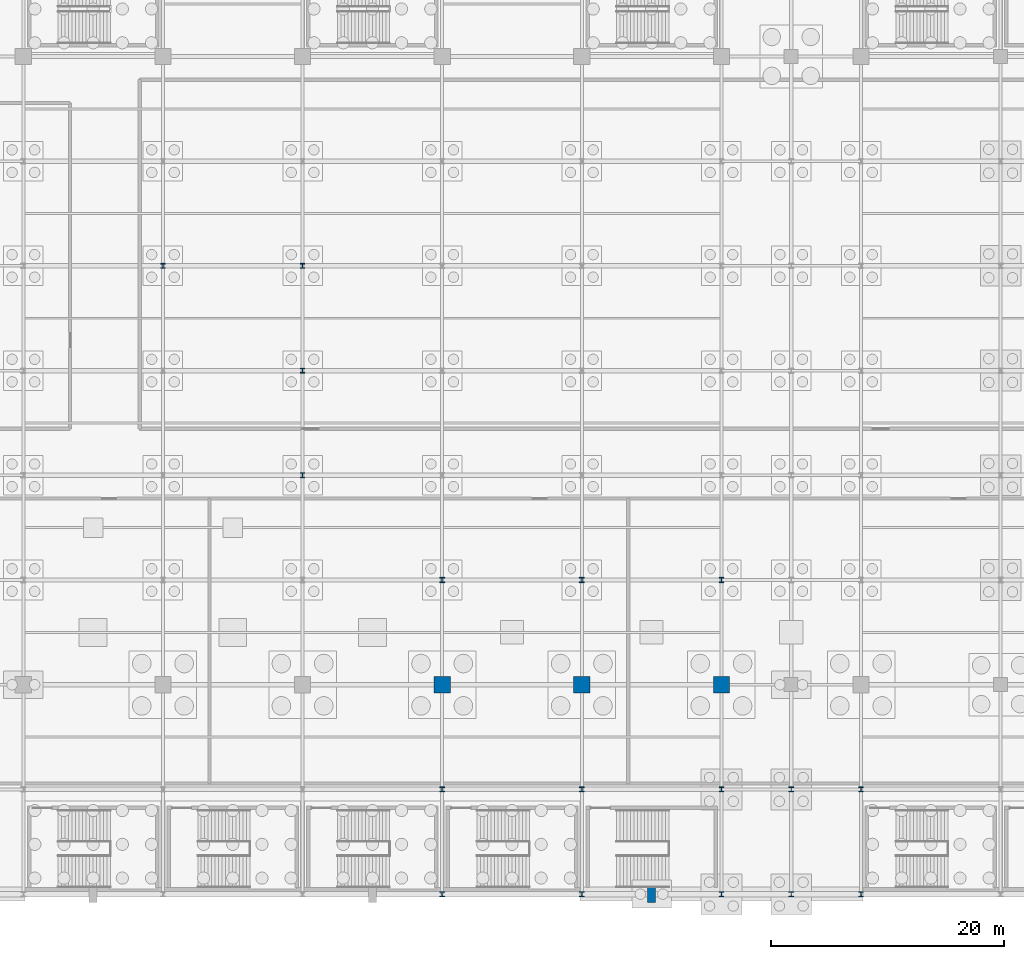
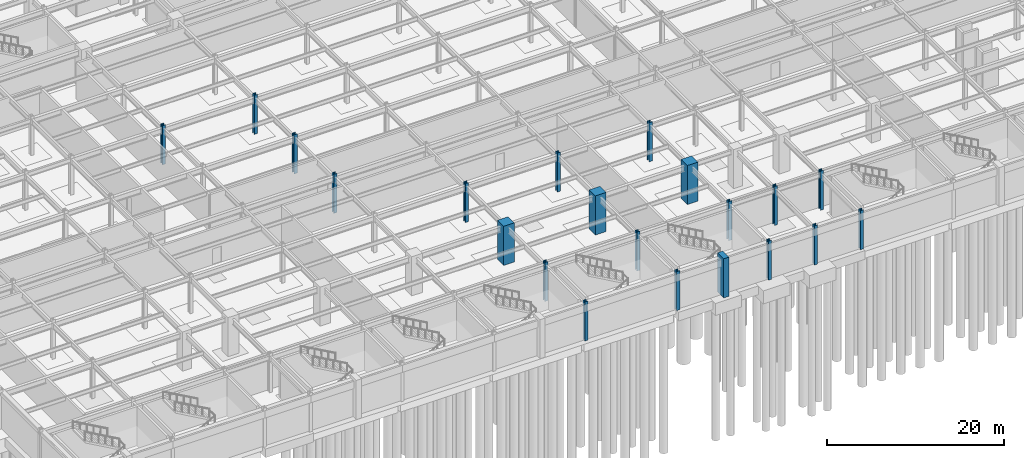
# One storey, part 11 of 47: 21 columns.
"""IFC4 building model written with IfcOpenShell, lengths in metres."""

from ifc_helpers import new_model, si_unit, direction, frame, origin, origin_2d, place, context, subcontext, project, spatial, rectangle, i_section, extrude, material, material_profile, profile_set, type_object, element, save


model = new_model("IFC4")

# Units and contexts
model_context = context("Model", 3, precision=1e-05, world=origin(), true_north=direction((0.0, 1.0)))
body_context = subcontext(model_context, "Body", "Model", "MODEL_VIEW")
ifc_project = project(units=[si_unit("LENGTHUNIT", "METRE"), si_unit("AREAUNIT", "SQUARE_METRE"), si_unit("VOLUMEUNIT", "CUBIC_METRE"), si_unit("PLANEANGLEUNIT", "RADIAN"), si_unit("MASSUNIT", "GRAM", prefix="KILO")], contexts=[model_context])

# Site, building, storey
site_placement = place(None, origin())
site = spatial("IfcSite", under=ifc_project, at=site_placement, CompositionType="ELEMENT")
building_placement = place(site_placement, origin())
building = spatial("IfcBuilding", under=site, at=building_placement, Name="Kaldorvane Square Convention Centre", CompositionType="ELEMENT")
storey_placement = place(building_placement, frame((0.0, 0.0, -5.399993896484375)))
storey = spatial("IfcBuildingStorey", under=building, at=storey_placement, Name="B01", CompositionType="ELEMENT", Elevation=-5.399993896484375)

# Columns
ifc_material_1 = material(Name="Concrete f'c = 55 MPa (Normalweight)", Category="concrete")
ifc_material_profile_1 = material_profile(ifc_material_1, rectangle(XDim=1.399993896484375, YDim=1.399993896484375, at=origin_2d()), Name="RC1400X1400")
ifc_profile_set_1 = profile_set([ifc_material_profile_1], Name="Concrete f'c = 55 MPa (Normalweight)")
column_type_1 = type_object("IfcColumnType", Name="COL-MEGA-1400", PredefinedType="COLUMN", material=ifc_profile_set_1)
for number, where, z_axis, x_axis, name in (
    (1, (66.0, 18.0, 0.0), (0.0, 0.0, 1.0), (1.0, 0.0, 0.0), "Column MC-01 (B01)"),
    (2, (78.0, 18.0, 0.0), (0.0, 0.0, 1.0), (1.0, 0.0, 0.0), "Column MC-01 (B01)"),
    (3, (90.0, 18.0, 0.0), (0.0, 0.0, 1.0), (1.0, 0.0, 0.0), "Column MC-01 (B01)"),
):
    element("IfcColumn", number, at=place(storey_placement, frame(where, z_axis=z_axis, x_axis=x_axis)), inside=storey, type_object=column_type_1, Name=name, PredefinedType="COLUMN", context=body_context, shape_type="SweptSolid", body=[
        extrude(rectangle(XDim=1.399993896484375, YDim=1.399993896484375, at=origin_2d()), origin(), (0.0, 0.0, 1.0), 5.399993896484375),
    ])
ifc_material_2 = material(Name="Steel ASTM A992 Gr. 50", Category="steel")
ifc_material_profile_2 = material_profile(ifc_material_2, i_section(OverallWidth=0.412200927734375, OverallDepth=0.4347991943359375, WebThickness=0.035797119140625, FlangeThickness=0.057403564453125, FilletRadius=0.0305023193359375, at=origin_2d()), Name="W14X311")
ifc_profile_set_2 = profile_set([ifc_material_profile_2], Name="Steel ASTM A992 Gr. 50")
column_type_2 = type_object("IfcColumnType", Name="COL-STL-311", PredefinedType="COLUMN", material=ifc_profile_set_2)
for number, where, z_axis, x_axis, name in (
    (4, (42.0, 54.0, 0.0), (0.0, 0.0, 1.0), (1.0, 0.0, 0.0), "Column SC-06 (B01)"),
    (5, (54.0, 36.0, 0.0), (0.0, 0.0, 1.0), (1.0, 0.0, 0.0), "Column SC-06 (B01)"),
    (6, (54.0, 45.0, 0.0), (0.0, 0.0, 1.0), (1.0, 0.0, 0.0), "Column SC-06 (B01)"),
    (7, (54.0, 54.0, 0.0), (0.0, 0.0, 1.0), (1.0, 0.0, 0.0), "Column SC-06 (B01)"),
    (8, (66.0, 0.0, 0.0), (0.0, 0.0, 1.0), (1.0, 0.0, 0.0), "Column SC-06 (B01)"),
    (9, (66.0, 9.0, 0.0), (0.0, 0.0, 1.0), (1.0, 0.0, 0.0), "Column SC-06 (B01)"),
    (10, (66.0, 27.0, 0.0), (0.0, 0.0, 1.0), (1.0, 0.0, 0.0), "Column SC-06 (B01)"),
    (11, (78.0, 0.0, 0.0), (0.0, 0.0, 1.0), (1.0, 0.0, 0.0), "Column SC-06 (B01)"),
    (12, (78.0, 9.0, 0.0), (0.0, 0.0, 1.0), (1.0, 0.0, 0.0), "Column SC-06 (B01)"),
    (13, (78.0, 27.0, 0.0), (0.0, 0.0, 1.0), (1.0, 0.0, 0.0), "Column SC-06 (B01)"),
    (14, (90.0, 0.0, 0.0), (0.0, 0.0, 1.0), (1.0, 0.0, 0.0), "Column SC-06 (B01)"),
    (15, (90.0, 9.0, 0.0), (0.0, 0.0, 1.0), (1.0, 0.0, 0.0), "Column SC-06 (B01)"),
    (16, (90.0, 27.0, 0.0), (0.0, 0.0, 1.0), (1.0, 0.0, 0.0), "Column SC-06 (B01)"),
    (17, (96.0, 0.0, 0.0), (0.0, 0.0, 1.0), (1.0, 0.0, 0.0), "Column SC-06 (B01)"),
    (18, (96.0, 9.0, 0.0), (0.0, 0.0, 1.0), (1.0, 0.0, 0.0), "Column SC-06 (B01)"),
    (19, (102.0, 0.0, 0.0), (0.0, 0.0, 1.0), (1.0, 0.0, 0.0), "Column SC-06 (B01)"),
    (20, (102.0, 9.0, 0.0), (0.0, 0.0, 1.0), (1.0, 0.0, 0.0), "Column SC-06 (B01)"),
):
    element("IfcColumn", number, at=place(storey_placement, frame(where, z_axis=z_axis, x_axis=x_axis)), inside=storey, type_object=column_type_2, Name=name, PredefinedType="COLUMN", context=body_context, shape_type="SweptSolid", body=[
        extrude(i_section(OverallWidth=0.412200927734375, OverallDepth=0.4347991943359375, WebThickness=0.035797119140625, FlangeThickness=0.057403564453125, FilletRadius=0.0305023193359375, at=origin_2d()), origin(), (0.0, 0.0, 1.0), 5.399993896484375),
    ])
ifc_material_profile_3 = material_profile(ifc_material_1, rectangle(XDim=0.6999969482421875, YDim=1.399993896484375, at=origin_2d()), Name="PIL1400X700")
ifc_profile_set_3 = profile_set([ifc_material_profile_3], Name="Concrete f'c = 55 MPa (Normalweight)")
column_type_3 = type_object("IfcColumnType", Name="PIL-BRUT-1400", PredefinedType="PILASTER", material=ifc_profile_set_3)
column_placement = place(storey_placement, frame((84.0, 0.0, 0.0), z_axis=(0.0, 0.0, 1.0), x_axis=(1.0, 0.0, 0.0)))
element("IfcColumn", 21, at=column_placement, inside=storey, type_object=column_type_3, Name="Brutalist Colonnade Pilaster (B01)", PredefinedType="PILASTER", context=body_context, shape_type="SweptSolid", body=[
    extrude(rectangle(XDim=0.6999969482421875, YDim=1.399993896484375, at=origin_2d()), origin(), (0.0, 0.0, 1.0), 5.399993896484375),
])

save(model, "model.ifc")
